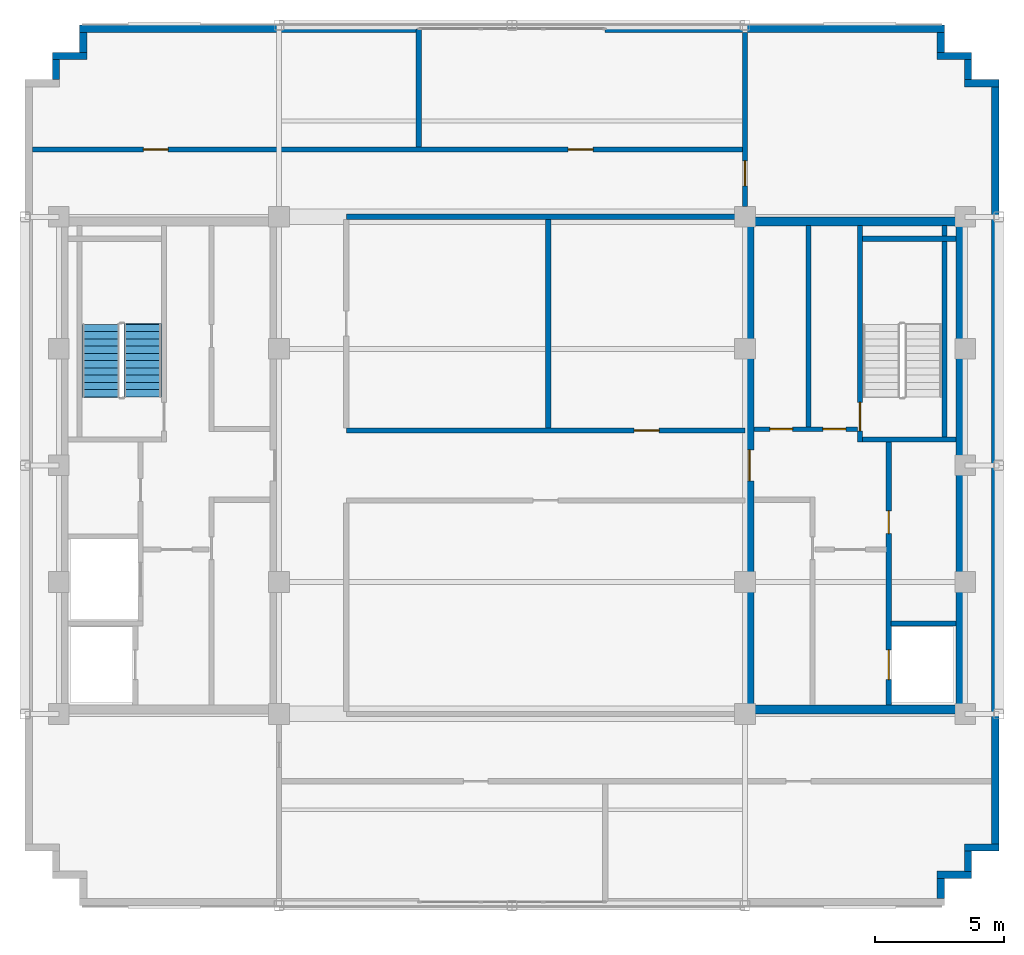
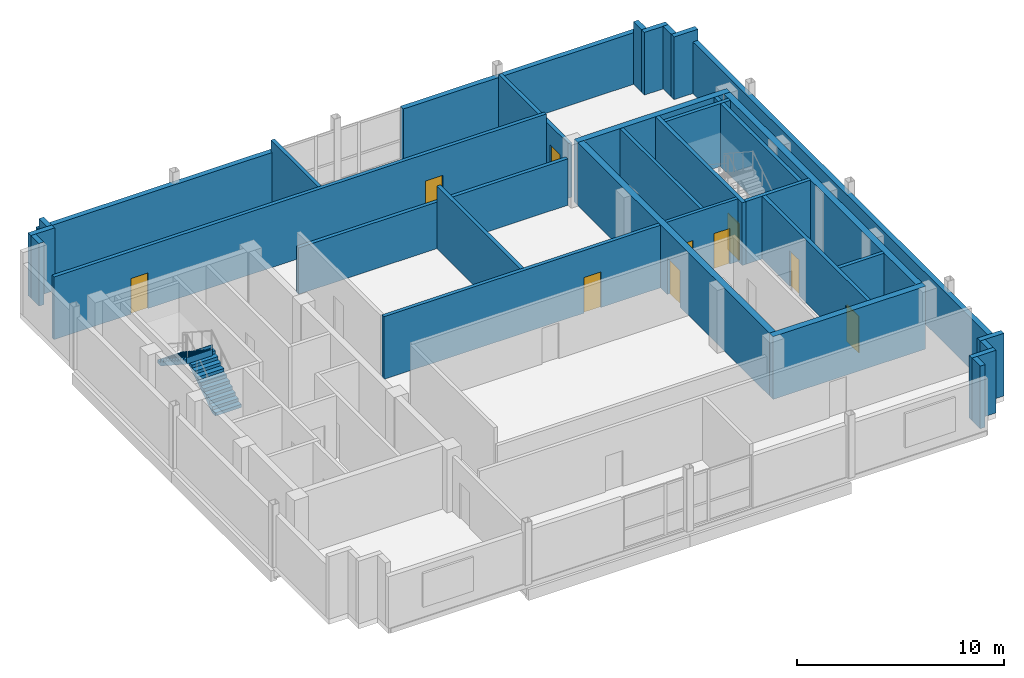
# One storey, part 3 of 10: 32 walls, 10 doors, 2 stair flights, 10 openings, 1 element without a shape of its own.
"""IFC4 building model written with IfcOpenShell, lengths in metres."""

from ifc_helpers import new_model, si_unit, direction, frame, frame_2d, origin, place, context, subcontext, project, spatial, polyline, rectangle, outline, extrude, source, transform, mapped, material, layer, layer_set, type_object, type_shapes, element, fill, aggregate, save


model = new_model("IFC4")

# Units and contexts
model_context = context("Model", 3, precision=1e-05, world=origin(), true_north=direction((0.0, 1.0)))
body_context = subcontext(model_context, "Body", "Model", "MODEL_VIEW")
ifc_project = project(units=[si_unit("LENGTHUNIT", "METRE"), si_unit("AREAUNIT", "SQUARE_METRE"), si_unit("VOLUMEUNIT", "CUBIC_METRE"), si_unit("PLANEANGLEUNIT", "RADIAN"), si_unit("MASSUNIT", "GRAM", prefix="KILO")], contexts=[model_context])

# Site, building, storey
site_placement = place(None, origin())
site = spatial("IfcSite", under=ifc_project, at=site_placement, CompositionType="ELEMENT")
building_placement = place(site_placement, origin())
building = spatial("IfcBuilding", under=site, at=building_placement, Name="Nuvemarco Arch Tower", CompositionType="ELEMENT")
storey_placement = place(building_placement, frame((0.0, 0.0, 299.14990234375)))
storey = spatial("IfcBuildingStorey", under=building, at=storey_placement, Name="L79", CompositionType="ELEMENT", Elevation=299.14990234375)

# Walls
ifc_material_1 = material(Name="Precast concrete C45/55", Category="concrete")
ifc_layer_1 = layer(ifc_material_1, 0.280029296875, Name="EW-CRN-280")
ifc_layer_set_1 = layer_set([ifc_layer_1], Name="Precast concrete C45/55")
wall_type_1 = type_object("IfcWallType", Name="EW-CRN-280", PredefinedType="STANDARD", material=ifc_layer_set_1)
wall_1_placement = place(storey_placement, frame((16.56005859375, -16.72412109375, 0.0), z_axis=(0.0, 0.0, 1.0), x_axis=(0.0, 1.0, 0.0)))
element("IfcWall", 1, at=wall_1_placement, inside=storey, type_object=wall_type_1, Name="L79 exterior precast facade wall 2", PredefinedType="STANDARD", context=body_context, shape_type="SweptSolid", body=[
    extrude(rectangle(XDim=0.778076171875, YDim=0.280029296875, at=frame_2d((0.38916015625, 0.0))), origin(), (0.0, 0.0, 1.0), 3.690185546875),
])
wall_2_placement = place(storey_placement, frame((16.419921875, -15.81005859375, 0.0), z_axis=(0.0, 0.0, 1.0), x_axis=(1.0, 0.0, 0.0)))
element("IfcWall", 2, at=wall_2_placement, inside=storey, type_object=wall_type_1, Name="L79 exterior precast facade wall 3", PredefinedType="STANDARD", context=body_context, shape_type="SweptSolid", body=[
    extrude(rectangle(XDim=1.330078125, YDim=0.280029296875, at=frame_2d((0.6650390625, 0.0))), origin(), (0.0, 0.0, 1.0), 3.690185546875),
])
wall_3_placement = place(storey_placement, frame((17.610107421875, -15.674072265625, 0.0), z_axis=(0.0, 0.0, 1.0), x_axis=(0.0, 1.0, 0.0)))
element("IfcWall", 3, at=wall_3_placement, inside=storey, type_object=wall_type_1, Name="L79 exterior precast facade wall 4", PredefinedType="STANDARD", context=body_context, shape_type="SweptSolid", body=[
    extrude(rectangle(XDim=0.778076171875, YDim=0.280029296875, at=frame_2d((0.38916015625, 0.0))), origin(), (0.0, 0.0, 1.0), 3.690185546875),
])
wall_4_placement = place(storey_placement, frame((17.469970703125, -14.760009765625, 0.0), z_axis=(0.0, 0.0, 1.0), x_axis=(1.0, 0.0, 0.0)))
element("IfcWall", 4, at=wall_4_placement, inside=storey, type_object=wall_type_1, Name="L79 exterior precast facade wall 5", PredefinedType="STANDARD", context=body_context, shape_type="SweptSolid", body=[
    extrude(rectangle(XDim=1.330078125, YDim=0.280029296875, at=frame_2d((0.6650390625, 0.0))), origin(), (0.0, 0.0, 1.0), 3.690185546875),
])
wall_5_placement = place(storey_placement, frame((18.659912109375, -14.6240234375, 0.0), z_axis=(0.0, 0.0, 1.0), x_axis=(0.0, 1.0, 0.0)))
element("IfcWall", 5, at=wall_5_placement, inside=storey, type_object=wall_type_1, Name="L79 exterior precast facade wall 6", PredefinedType="STANDARD", context=body_context, shape_type="SweptSolid", body=[
    extrude(rectangle(XDim=29.248046875, YDim=0.280029296875, at=frame_2d((14.6240234375, 0.0))), origin(), (0.0, 0.0, 1.0), 3.03515625),
])
wall_6_placement = place(storey_placement, frame((17.469970703125, 14.760009765625, 0.0), z_axis=(0.0, 0.0, 1.0), x_axis=(1.0, 0.0, 0.0)))
element("IfcWall", 6, at=wall_6_placement, inside=storey, type_object=wall_type_1, Name="L79 exterior precast facade wall 7", PredefinedType="STANDARD", context=body_context, shape_type="SweptSolid", body=[
    extrude(rectangle(XDim=1.330078125, YDim=0.280029296875, at=frame_2d((0.6650390625, 0.0))), origin(), (0.0, 0.0, 1.0), 3.690185546875),
])
wall_7_placement = place(storey_placement, frame((17.610107421875, 14.89599609375, 0.0), z_axis=(0.0, 0.0, 1.0), x_axis=(0.0, 1.0, 0.0)))
element("IfcWall", 7, at=wall_7_placement, inside=storey, type_object=wall_type_1, Name="L79 exterior precast facade wall 8", PredefinedType="STANDARD", context=body_context, shape_type="SweptSolid", body=[
    extrude(rectangle(XDim=0.778076171875, YDim=0.280029296875, at=frame_2d((0.38916015625, 0.0))), origin(), (0.0, 0.0, 1.0), 3.690185546875),
])
wall_8_placement = place(storey_placement, frame((16.419921875, 15.81005859375, 0.0), z_axis=(0.0, 0.0, 1.0), x_axis=(1.0, 0.0, 0.0)))
element("IfcWall", 8, at=wall_8_placement, inside=storey, type_object=wall_type_1, Name="L79 exterior precast facade wall 9", PredefinedType="STANDARD", context=body_context, shape_type="SweptSolid", body=[
    extrude(rectangle(XDim=1.330078125, YDim=0.280029296875, at=frame_2d((0.6650390625, 0.0))), origin(), (0.0, 0.0, 1.0), 3.690185546875),
])
wall_9_placement = place(storey_placement, frame((16.56005859375, 15.946044921875, 0.0), z_axis=(0.0, 0.0, 1.0), x_axis=(0.0, 1.0, 0.0)))
element("IfcWall", 9, at=wall_9_placement, inside=storey, type_object=wall_type_1, Name="L79 exterior precast facade wall 10", PredefinedType="STANDARD", context=body_context, shape_type="SweptSolid", body=[
    extrude(rectangle(XDim=0.778076171875, YDim=0.280029296875, at=frame_2d((0.38916015625, 0.0))), origin(), (0.0, 0.0, 1.0), 3.690185546875),
])
for number, where, z_axis, x_axis, name in (
    (10, (-16.699951171875, 16.860107421875, 0.0), (0.0, 0.0, 1.0), (1.0, 0.0, 0.0), "L79 exterior precast pier wall north left"),
    (11, (3.60009765625, 16.860107421875, 0.0), (0.0, 0.0, 1.0), (1.0, 0.0, 0.0), "L79 exterior precast pier wall north right"),
):
    element("IfcWall", number, at=place(storey_placement, frame(where, z_axis=z_axis, x_axis=x_axis)), inside=storey, type_object=wall_type_1, Name=name, PredefinedType="STANDARD", context=body_context, shape_type="SweptSolid", body=[
        extrude(rectangle(XDim=13.099853515625, YDim=0.280029296875, at=frame_2d((6.5498046875, 0.0))), origin(), (0.0, 0.0, 1.0), 3.03515625),
    ])
wall_10_placement = place(storey_placement, frame((-16.56005859375, 15.946044921875, 0.0), z_axis=(0.0, 0.0, 1.0), x_axis=(0.0, 1.0, 0.0)))
element("IfcWall", 12, at=wall_10_placement, inside=storey, type_object=wall_type_1, Name="L79 exterior precast facade wall 12", PredefinedType="STANDARD", context=body_context, shape_type="SweptSolid", body=[
    extrude(rectangle(XDim=0.778076171875, YDim=0.280029296875, at=frame_2d((0.38916015625, 0.0))), origin(), (0.0, 0.0, 1.0), 3.690185546875),
])
wall_11_placement = place(storey_placement, frame((-17.75, 15.81005859375, 0.0), z_axis=(0.0, 0.0, 1.0), x_axis=(1.0, 0.0, 0.0)))
element("IfcWall", 13, at=wall_11_placement, inside=storey, type_object=wall_type_1, Name="L79 exterior precast facade wall 13", PredefinedType="STANDARD", context=body_context, shape_type="SweptSolid", body=[
    extrude(rectangle(XDim=1.330078125, YDim=0.280029296875, at=frame_2d((0.6650390625, 0.0))), origin(), (0.0, 0.0, 1.0), 3.690185546875),
])
wall_12_placement = place(storey_placement, frame((-17.610107421875, 14.89599609375, 0.0), z_axis=(0.0, 0.0, 1.0), x_axis=(0.0, 1.0, 0.0)))
element("IfcWall", 14, at=wall_12_placement, inside=storey, type_object=wall_type_1, Name="L79 exterior precast facade wall 14", PredefinedType="STANDARD", context=body_context, shape_type="SweptSolid", body=[
    extrude(rectangle(XDim=0.778076171875, YDim=0.280029296875, at=frame_2d((0.38916015625, 0.0))), origin(), (0.0, 0.0, 1.0), 3.690185546875),
])
ifc_material_2 = material(Name="Concrete C50/60", Category="concrete")
ifc_layer_2 = layer(ifc_material_2, 0.35009765625, Name="WL-CORE-350")
ifc_layer_set_2 = layer_set([ifc_layer_2], Name="Concrete C50/60")
wall_type_2 = type_object("IfcWallType", Name="WL-CORE-350", PredefinedType="SHEAR", material=ifc_layer_set_2)
for number, where, z_axis, x_axis, name in (
    (15, (9.0, -9.425048828125, 0.0), (0.0, 0.0, 1.0), (1.0, 0.0, 0.0), "L79 E-core shear wall S"),
    (16, (9.0, 9.425048828125, 0.0), (0.0, 0.0, 1.0), (1.0, 0.0, 0.0), "L79 E-core shear wall N"),
):
    element("IfcWall", number, at=place(storey_placement, frame(where, z_axis=z_axis, x_axis=x_axis)), inside=storey, type_object=wall_type_2, Name=name, PredefinedType="SHEAR", context=body_context, shape_type="SweptSolid", body=[
        extrude(rectangle(XDim=8.5, YDim=0.35009765625, at=frame_2d((4.25, 0.0))), origin(), (0.0, 0.0, 1.0), 3.7001953125),
    ])

# Wall, opening, door
wall_13_placement = place(storey_placement, frame((9.175048828125, -9.2548828125, 0.0), z_axis=(0.0, 0.0, 1.0), x_axis=(0.0, 1.0, 0.0)))
wall_13 = element("IfcWall", 17, at=wall_13_placement, inside=storey, type_object=wall_type_2, Name="L79 E-core shear wall W", PredefinedType="SHEAR", context=body_context, shape_type="SweptSolid", body=[
    extrude(rectangle(XDim=18.509765625, YDim=0.35009765625, at=frame_2d((9.2548828125, 0.0))), origin(), (0.0, 0.0, 1.0), 3.7001953125),
])
opening_1_placement = place(wall_13_placement, frame((8.655029296875, 0.0, 0.0)))
opening_1 = element("IfcOpeningElement", 18, at=opening_1_placement, cuts=wall_13, Name="Opening FD-2", PredefinedType="OPENING", context=body_context, shape_type="SweptSolid", body=[
    extrude(rectangle(XDim=1.199951171875, YDim=2.14990234375, at=frame_2d((0.60009765625, 1.074951171875))), frame((0.0, 0.18505859375, 0.0), z_axis=(0.0, -1.0, 0.0), x_axis=(1.0, 0.0, 0.0)), (0.0, 0.0, 1.0), 0.3701171875),
])
ifc_material_3 = material(Name="Anodised steel fire door", Category="steel")
door_type_1 = type_object("IfcDoorType", Name="DR-FFLOB-FD", OperationType="NOTDEFINED", PredefinedType="DOOR", material=ifc_material_3)
shared_shape_1 = source(origin(), body_context, "Body", "SweptSolid", [
    extrude(rectangle(XDim=1.199951171875, YDim=2.14990234375, at=frame_2d((0.60009765625, 1.074951171875))), frame((0.0, 0.02490234375, 0.0), z_axis=(0.0, -1.0, 0.0), x_axis=(1.0, 0.0, 0.0)), (0.0, 0.0, 1.0), 0.050048828125),
])
type_shapes(door_type_1, [shared_shape_1])
door_1_placement = place(opening_1_placement, origin())
door_1 = element("IfcDoor", 19, at=door_1_placement, inside=storey, type_object=door_type_1, Name="L79 door FD-L79-ECORE-W", OperationType="SINGLE_SWING_LEFT", OverallHeight=2.14990234375, OverallWidth=1.199951171875, PredefinedType="DOOR", context=body_context, shape_type="MappedRepresentation", body=[
    mapped(shared_shape_1, transform((0.0, 0.0, 0.0), scale=1.0)),
])
fill(opening_1, door_1)

# Wall
wall_14_placement = place(storey_placement, frame((17.324951171875, -9.2548828125, 0.0), z_axis=(0.0, 0.0, 1.0), x_axis=(0.0, 1.0, 0.0)))
element("IfcWall", 20, at=wall_14_placement, inside=storey, type_object=wall_type_2, Name="L79 E-core shear wall E", PredefinedType="SHEAR", context=body_context, shape_type="SweptSolid", body=[
    extrude(rectangle(XDim=18.509765625, YDim=0.35009765625, at=frame_2d((9.2548828125, 0.0))), origin(), (0.0, 0.0, 1.0), 3.7001953125),
])

# Wall, openings, doors
ifc_material_4 = material(Name="Fire-rated gypsum drywall partition")
ifc_layer_3 = layer(ifc_material_4, 0.179931640625, Name="WL-CORR-180")
ifc_layer_set_3 = layer_set([ifc_layer_3], Name="Fire-rated gypsum drywall partition")
wall_type_3 = type_object("IfcWallType", Name="WL-CORR-180", PredefinedType="PARTITIONING", material=ifc_layer_set_3)
wall_15_placement = place(storey_placement, frame((9.344970703125, 1.39990234375, 0.0), z_axis=(0.0, 0.0, 1.0), x_axis=(1.0, 0.0, 0.0)))
wall_15 = element("IfcWall", 21, at=wall_15_placement, inside=storey, type_object=wall_type_3, Name="L79 interior wall IW-L79-EK-S", PredefinedType="PARTITIONING", context=body_context, shape_type="SweptSolid", body=[
    extrude(rectangle(XDim=4.0, YDim=0.179931640625, at=frame_2d((2.0, 0.0))), origin(), (0.0, 0.0, 1.0), 3.690185546875),
])
opening_2_placement = place(wall_15_placement, frame((0.614990234375, 0.0, 0.0)))
opening_2 = element("IfcOpeningElement", 22, at=opening_2_placement, cuts=wall_15, Name="Opening FD-4", PredefinedType="OPENING", context=body_context, shape_type="SweptSolid", body=[
    extrude(rectangle(XDim=0.8798828125, YDim=2.10009765625, at=frame_2d((0.43994140625, 1.050048828125))), frame((0.0, 0.099853515625, 0.0), z_axis=(0.0, -1.0, 0.0), x_axis=(1.0, 0.0, 0.0)), (0.0, 0.0, 1.0), 0.199951171875),
])
opening_3_placement = place(wall_15_placement, frame((2.6650390625, 0.0, 0.0)))
opening_3 = element("IfcOpeningElement", 23, at=opening_3_placement, cuts=wall_15, Name="Opening FD-4", PredefinedType="OPENING", context=body_context, shape_type="SweptSolid", body=[
    extrude(rectangle(XDim=0.8798828125, YDim=2.10009765625, at=frame_2d((0.43994140625, 1.050048828125))), frame((0.0, 0.099853515625, 0.0), z_axis=(0.0, -1.0, 0.0), x_axis=(1.0, 0.0, 0.0)), (0.0, 0.0, 1.0), 0.199951171875),
])
door_type_2 = type_object("IfcDoorType", Name="DR-RISER-FD", OperationType="NOTDEFINED", PredefinedType="DOOR", material=ifc_material_3)
shared_shape_2 = source(origin(), body_context, "Body", "SweptSolid", [
    extrude(rectangle(XDim=0.8798828125, YDim=2.10009765625, at=frame_2d((0.43994140625, 1.050048828125))), frame((0.0, 0.02490234375, 0.0), z_axis=(0.0, -1.0, 0.0), x_axis=(1.0, 0.0, 0.0)), (0.0, 0.0, 1.0), 0.050048828125),
])
type_shapes(door_type_2, [shared_shape_2])
door_2_placement = place(opening_2_placement, origin())
door_2 = element("IfcDoor", 24, at=door_2_placement, inside=storey, type_object=door_type_2, Name="L79 door FD-L79-EK2A", OperationType="SINGLE_SWING_RIGHT", OverallHeight=2.10009765625, OverallWidth=0.8798828125, PredefinedType="DOOR", context=body_context, shape_type="MappedRepresentation", body=[
    mapped(shared_shape_2, transform((0.0, 0.0, 0.0), scale=1.0)),
])
fill(opening_2, door_2)
door_3_placement = place(opening_3_placement, origin())
door_3 = element("IfcDoor", 25, at=door_3_placement, inside=storey, type_object=door_type_2, Name="L79 door FD-L79-EK2B", OperationType="SINGLE_SWING_LEFT", OverallHeight=2.10009765625, OverallWidth=0.8798828125, PredefinedType="DOOR", context=body_context, shape_type="MappedRepresentation", body=[
    mapped(shared_shape_2, transform((0.0, 0.0, 0.0), scale=1.0)),
])
fill(opening_3, door_3)

# Wall
wall_16_placement = place(storey_placement, frame((11.449951171875, 1.489990234375, 0.0), z_axis=(0.0, 0.0, 1.0), x_axis=(0.0, 1.0, 0.0)))
element("IfcWall", 26, at=wall_16_placement, inside=storey, type_object=wall_type_3, Name="L79 interior wall IW-L79-EK2", PredefinedType="PARTITIONING", context=body_context, shape_type="SweptSolid", body=[
    extrude(rectangle(XDim=7.764892578125, YDim=0.179931640625, at=frame_2d((3.88232421875, 0.0))), origin(), (0.0, 0.0, 1.0), 3.690185546875),
])

# Wall, opening, door
ifc_layer_4 = layer(ifc_material_1, 0.199951171875, Name="WL-PLANT-200")
ifc_layer_set_4 = layer_set([ifc_layer_4], Name="Precast concrete C45/55")
wall_type_4 = type_object("IfcWallType", Name="WL-PLANT-200", PredefinedType="STANDARD", material=ifc_layer_set_4)
wall_17_placement = place(storey_placement, frame((-6.39990234375, 1.35009765625, 0.0), z_axis=(0.0, 0.0, 1.0), x_axis=(1.0, 0.0, 0.0)))
wall_17 = element("IfcWall", 27, at=wall_17_placement, inside=storey, type_object=wall_type_4, Name="L79 interior wall IW-L79-004", PredefinedType="STANDARD", context=body_context, shape_type="SweptSolid", body=[
    extrude(rectangle(XDim=15.39990234375, YDim=0.199951171875, at=frame_2d((7.699951171875, 0.0))), origin(), (0.0, 0.0, 1.0), 3.690185546875),
])
opening_4_placement = place(wall_17_placement, frame((11.1201171875, 0.0, 0.0)))
opening_4 = element("IfcOpeningElement", 28, at=opening_4_placement, cuts=wall_17, Name="Opening FD-5", PredefinedType="OPENING", context=body_context, shape_type="SweptSolid", body=[
    extrude(rectangle(XDim=0.9599609375, YDim=2.10009765625, at=frame_2d((0.47998046875, 1.050048828125))), frame((0.0, 0.10986328125, 0.0), z_axis=(0.0, -1.0, 0.0), x_axis=(1.0, 0.0, 0.0)), (0.0, 0.0, 1.0), 0.219970703125),
])
ifc_material_5 = material(Name="Timber fire door", Category="wood")
door_type_3 = type_object("IfcDoorType", Name="DR-CORR-FD", OperationType="NOTDEFINED", PredefinedType="DOOR", material=ifc_material_5)
shared_shape_3 = source(origin(), body_context, "Body", "SweptSolid", [
    extrude(rectangle(XDim=0.9599609375, YDim=2.10009765625, at=frame_2d((0.47998046875, 1.050048828125))), frame((0.0, 0.02490234375, 0.0), z_axis=(0.0, -1.0, 0.0), x_axis=(1.0, 0.0, 0.0)), (0.0, 0.0, 1.0), 0.050048828125),
])
type_shapes(door_type_3, [shared_shape_3])
door_4_placement = place(opening_4_placement, origin())
door_4 = element("IfcDoor", 29, at=door_4_placement, inside=storey, type_object=door_type_3, Name="L79 door DR-L79-CRN_PUMP2", OperationType="SINGLE_SWING_RIGHT", OverallHeight=2.10009765625, OverallWidth=0.9599609375, PredefinedType="DOOR", context=body_context, shape_type="MappedRepresentation", body=[
    mapped(shared_shape_3, transform((0.0, 0.0, 0.0), scale=1.0)),
])
fill(opening_4, door_4)

# Wall
wall_18_placement = place(storey_placement, frame((-6.39990234375, 9.60009765625, 0.0), z_axis=(0.0, 0.0, 1.0), x_axis=(1.0, 0.0, 0.0)))
element("IfcWall", 30, at=wall_18_placement, inside=storey, type_object=wall_type_4, Name="L79 interior wall IW-L79-005", PredefinedType="STANDARD", context=body_context, shape_type="SweptSolid", body=[
    extrude(rectangle(XDim=15.00390625, YDim=0.199951171875, at=frame_2d((7.501953125, 0.0))), origin(), (0.0, 0.0, 1.0), 2.735107421875),
])

# Wall, openings, doors
wall_19_placement = place(storey_placement, frame((-18.52001953125, 12.199951171875, 0.0), z_axis=(0.0, 0.0, 1.0), x_axis=(1.0, 0.0, 0.0)))
wall_19 = element("IfcWall", 31, at=wall_19_placement, inside=storey, type_object=wall_type_4, Name="L79 interior wall IW-L79-006", PredefinedType="STANDARD", context=body_context, shape_type="SweptSolid", body=[
    extrude(rectangle(XDim=27.424072265625, YDim=0.199951171875, at=frame_2d((13.7119140625, 0.0))), origin(), (0.0, 0.0, 1.0), 3.690185546875),
])
opening_5_placement = place(wall_19_placement, frame((20.69189453125, 0.0, 0.0)))
opening_5 = element("IfcOpeningElement", 32, at=opening_5_placement, cuts=wall_19, Name="Opening FD-5", PredefinedType="OPENING", context=body_context, shape_type="SweptSolid", body=[
    extrude(rectangle(XDim=0.9599609375, YDim=2.10009765625, at=frame_2d((0.47998046875, 1.050048828125))), frame((0.0, 0.10986328125, 0.0), z_axis=(0.0, -1.0, 0.0), x_axis=(1.0, 0.0, 0.0)), (0.0, 0.0, 1.0), 0.219970703125),
])
opening_6_placement = place(wall_19_placement, frame((4.280029296875, 0.0, 0.0)))
opening_6 = element("IfcOpeningElement", 33, at=opening_6_placement, cuts=wall_19, Name="Opening FD-5", PredefinedType="OPENING", context=body_context, shape_type="SweptSolid", body=[
    extrude(rectangle(XDim=0.9599609375, YDim=2.10009765625, at=frame_2d((0.47998046875, 1.050048828125))), frame((0.0, 0.10986328125, 0.0), z_axis=(0.0, -1.0, 0.0), x_axis=(1.0, 0.0, 0.0)), (0.0, 0.0, 1.0), 0.219970703125),
])
door_5_placement = place(opening_5_placement, origin())
door_5 = element("IfcDoor", 34, at=door_5_placement, inside=storey, type_object=door_type_3, Name="L79 door DR-L79-CRN_N2", OperationType="SINGLE_SWING_RIGHT", OverallHeight=2.10009765625, OverallWidth=0.9599609375, PredefinedType="DOOR", context=body_context, shape_type="MappedRepresentation", body=[
    mapped(shared_shape_3, transform((0.0, 0.0, 0.0), scale=1.0)),
])
fill(opening_5, door_5)
door_6_placement = place(opening_6_placement, origin())
door_6 = element("IfcDoor", 35, at=door_6_placement, inside=storey, type_object=door_type_3, Name="L79 door DR-L79-CRN_N1", OperationType="SINGLE_SWING_RIGHT", OverallHeight=2.10009765625, OverallWidth=0.9599609375, PredefinedType="DOOR", context=body_context, shape_type="MappedRepresentation", body=[
    mapped(shared_shape_3, transform((0.0, 0.0, 0.0), scale=1.0)),
])
fill(opening_6, door_6)

# Walls
wall_20_placement = place(storey_placement, frame((-3.60009765625, 12.2958984375, 0.0), z_axis=(0.0, 0.0, 1.0), x_axis=(0.0, 1.0, 0.0)))
element("IfcWall", 36, at=wall_20_placement, inside=storey, type_object=wall_type_4, Name="L79 interior wall IW-L79-010", PredefinedType="STANDARD", context=body_context, shape_type="SweptSolid", body=[
    extrude(rectangle(XDim=4.549072265625, YDim=0.199951171875, at=frame_2d((2.2744140625, 0.0))), origin(), (0.0, 0.0, 1.0), 3.690185546875),
])
wall_21_placement = place(storey_placement, frame((1.39990234375, 1.446044921875, 0.0), z_axis=(0.0, 0.0, 1.0), x_axis=(0.0, 1.0, 0.0)))
element("IfcWall", 37, at=wall_21_placement, inside=storey, type_object=wall_type_4, Name="L79 interior wall IW-L79-011", PredefinedType="STANDARD", context=body_context, shape_type="SweptSolid", body=[
    extrude(rectangle(XDim=8.057861328125, YDim=0.199951171875, at=frame_2d((4.02880859375, 0.0))), origin(), (0.0, 0.0, 1.0), 3.690185546875),
])

# Wall, opening, door
wall_22_placement = place(storey_placement, frame((9.0, 9.99609375, 0.0), z_axis=(0.0, 0.0, 1.0), x_axis=(0.0, 1.0, 0.0)))
wall_22 = element("IfcWall", 38, at=wall_22_placement, inside=storey, type_object=wall_type_4, Name="L79 interior wall IW-L79-013", PredefinedType="STANDARD", context=body_context, shape_type="SweptSolid", body=[
    extrude(rectangle(XDim=6.723876953125, YDim=0.199951171875, at=frame_2d((3.36181640625, 0.0))), origin(), (0.0, 0.0, 1.0), 3.22216796875),
])
opening_7_placement = place(wall_22_placement, frame((0.800048828125, 0.0, 0.0)))
opening_7 = element("IfcOpeningElement", 39, at=opening_7_placement, cuts=wall_22, Name="Opening FD-5", PredefinedType="OPENING", context=body_context, shape_type="SweptSolid", body=[
    extrude(rectangle(XDim=0.9599609375, YDim=2.10009765625, at=frame_2d((0.47998046875, 1.050048828125))), frame((0.0, 0.10986328125, 0.0), z_axis=(0.0, -1.0, 0.0), x_axis=(1.0, 0.0, 0.0)), (0.0, 0.0, 1.0), 0.219970703125),
])
door_7_placement = place(opening_7_placement, origin())
door_7 = element("IfcDoor", 40, at=door_7_placement, inside=storey, type_object=door_type_3, Name="L79 door DR-L79-CRN_NE", OperationType="SINGLE_SWING_LEFT", OverallHeight=2.10009765625, OverallWidth=0.9599609375, PredefinedType="DOOR", context=body_context, shape_type="MappedRepresentation", body=[
    mapped(shared_shape_3, transform((0.0, 0.0, 0.0), scale=1.0)),
])
fill(opening_7, door_7)

ifc_layer_5 = layer(ifc_material_2, 0.199951171875, Name="WL-SHAFT-220")
ifc_layer_set_5 = layer_set([ifc_layer_5], Name="Concrete C50/60")
wall_type_5 = type_object("IfcWallType", Name="WL-SHAFT-220", PredefinedType="SHEAR", material=ifc_layer_set_5)
wall_23_placement = place(storey_placement, frame((13.43994140625, 0.89990234375, 0.0), z_axis=(0.0, 0.0, 1.0), x_axis=(0.0, 1.0, 0.0)))
wall_23 = element("IfcWall", 41, at=wall_23_placement, inside=storey, type_object=wall_type_5, Name="L79 structural shaft wall SW-L79-E-ST2W", PredefinedType="SHEAR", context=body_context, shape_type="SweptSolid", body=[
    extrude(rectangle(XDim=8.35498046875, YDim=0.199951171875, at=frame_2d((4.177490234375, 0.0))), origin(), (0.0, 0.0, 1.0), 3.7001953125),
])
opening_8_placement = place(wall_23_placement, frame((0.429931640625, 0.0, 0.0)))
opening_8 = element("IfcOpeningElement", 42, at=opening_8_placement, cuts=wall_23, Name="Opening FD-1", PredefinedType="OPENING", context=body_context, shape_type="SweptSolid", body=[
    extrude(rectangle(XDim=1.10009765625, YDim=2.14990234375, at=frame_2d((0.550048828125, 1.074951171875))), frame((0.0, 0.10986328125, 0.0), z_axis=(0.0, -1.0, 0.0), x_axis=(1.0, 0.0, 0.0)), (0.0, 0.0, 1.0), 0.219970703125),
])
door_type_4 = type_object("IfcDoorType", Name="DR-STAIR-FD", OperationType="NOTDEFINED", PredefinedType="DOOR", material=ifc_material_3)
shared_shape_4 = source(origin(), body_context, "Body", "SweptSolid", [
    extrude(rectangle(XDim=1.10009765625, YDim=2.14990234375, at=frame_2d((0.550048828125, 1.074951171875))), frame((0.0, 0.02490234375, 0.0), z_axis=(0.0, -1.0, 0.0), x_axis=(1.0, 0.0, 0.0)), (0.0, 0.0, 1.0), 0.050048828125),
])
type_shapes(door_type_4, [shared_shape_4])
door_8_placement = place(opening_8_placement, origin())
door_8 = element("IfcDoor", 43, at=door_8_placement, inside=storey, type_object=door_type_4, Name="L79 door FD-L79-ST2", OperationType="SINGLE_SWING_RIGHT", OverallHeight=2.14990234375, OverallWidth=1.10009765625, PredefinedType="DOOR", context=body_context, shape_type="MappedRepresentation", body=[
    mapped(shared_shape_4, transform((0.0, 0.0, 0.0), scale=1.0)),
])
fill(opening_8, door_8)

# Walls
for number, where, z_axis, x_axis, name in (
    (44, (13.534912109375, 1.0, 0.0), (0.0, 0.0, 1.0), (1.0, 0.0, 0.0), "L79 structural shaft wall SW-L79-E-ST2S"),
    (45, (13.534912109375, 8.75, 0.0), (0.0, 0.0, 1.0), (1.0, 0.0, 0.0), "L79 structural shaft wall SW-L79-E-ST2N"),
):
    element("IfcWall", number, at=place(storey_placement, frame(where, z_axis=z_axis, x_axis=x_axis)), inside=storey, type_object=wall_type_5, Name=name, PredefinedType="SHEAR", context=body_context, shape_type="SweptSolid", body=[
        extrude(rectangle(XDim=3.6201171875, YDim=0.199951171875, at=frame_2d((1.81005859375, 0.0))), origin(), (0.0, 0.0, 1.0), 3.7001953125),
    ])
wall_24_placement = place(storey_placement, frame((16.699951171875, 1.094970703125, 0.0), z_axis=(0.0, 0.0, 1.0), x_axis=(0.0, 1.0, 0.0)))
element("IfcWall", 46, at=wall_24_placement, inside=storey, type_object=wall_type_5, Name="L79 structural shaft wall SW-L79-E-ST2E", PredefinedType="SHEAR", context=body_context, shape_type="SweptSolid", body=[
    extrude(rectangle(XDim=8.159912109375, YDim=0.199951171875, at=frame_2d((4.080078125, 0.0))), origin(), (0.0, 0.0, 1.0), 3.7001953125),
])

# Wall, openings, doors
wall_25_placement = place(storey_placement, frame((14.550048828125, -9.2548828125, 0.0), z_axis=(0.0, 0.0, 1.0), x_axis=(0.0, 1.0, 0.0)))
wall_25 = element("IfcWall", 47, at=wall_25_placement, inside=storey, type_object=wall_type_5, Name="L79 structural shaft wall SW-L79-E-SHW", PredefinedType="SHEAR", context=body_context, shape_type="SweptSolid", body=[
    extrude(rectangle(XDim=10.159912109375, YDim=0.199951171875, at=frame_2d((5.080078125, 0.0))), origin(), (0.0, 0.0, 1.0), 3.7001953125),
])
opening_9_placement = place(wall_25_placement, frame((6.614990234375, 0.0, 0.0)))
opening_9 = element("IfcOpeningElement", 48, at=opening_9_placement, cuts=wall_25, Name="Opening FD-4", PredefinedType="OPENING", context=body_context, shape_type="SweptSolid", body=[
    extrude(rectangle(XDim=0.8798828125, YDim=2.10009765625, at=frame_2d((0.43994140625, 1.050048828125))), frame((0.0, 0.10986328125, 0.0), z_axis=(0.0, -1.0, 0.0), x_axis=(1.0, 0.0, 0.0)), (0.0, 0.0, 1.0), 0.219970703125),
])
opening_10_placement = place(wall_25_placement, frame((0.97998046875, 0.0, 0.0)))
opening_10 = element("IfcOpeningElement", 49, at=opening_10_placement, cuts=wall_25, Name="Opening LD-2", PredefinedType="OPENING", context=body_context, shape_type="SweptSolid", body=[
    extrude(rectangle(XDim=1.14990234375, YDim=2.14990234375, at=frame_2d((0.574951171875, 1.074951171875))), frame((0.0, 0.10986328125, 0.0), z_axis=(0.0, -1.0, 0.0), x_axis=(1.0, 0.0, 0.0)), (0.0, 0.0, 1.0), 0.219970703125),
])
door_9_placement = place(opening_9_placement, origin())
door_9 = element("IfcDoor", 50, at=door_9_placement, inside=storey, type_object=door_type_2, Name="L79 door FD-L79-ERIS", OperationType="SINGLE_SWING_RIGHT", OverallHeight=2.10009765625, OverallWidth=0.8798828125, PredefinedType="DOOR", context=body_context, shape_type="MappedRepresentation", body=[
    mapped(shared_shape_2, transform((0.0, 0.0, 0.0), scale=1.0)),
])
fill(opening_9, door_9)
ifc_material_6 = material(Name="Stainless steel lift door", Category="steel")
door_type_5 = type_object("IfcDoorType", Name="DR-LIFT-FIRE", OperationType="DOUBLE_DOOR_SLIDING", PredefinedType="DOOR", material=ifc_material_6)
shared_shape_5 = source(origin(), body_context, "Body", "SweptSolid", [
    extrude(rectangle(XDim=1.14990234375, YDim=2.14990234375, at=frame_2d((0.574951171875, 1.074951171875))), frame((0.0, 0.02490234375, 0.0), z_axis=(0.0, -1.0, 0.0), x_axis=(1.0, 0.0, 0.0)), (0.0, 0.0, 1.0), 0.050048828125),
])
type_shapes(door_type_5, [shared_shape_5])
door_10_placement = place(opening_10_placement, origin())
door_10 = element("IfcDoor", 51, at=door_10_placement, inside=storey, type_object=door_type_5, Name="L79 Lift landing sliding door FFL-2", OperationType="DOUBLE_DOOR_SLIDING", OverallHeight=2.14990234375, OverallWidth=1.14990234375, PredefinedType="DOOR", context=body_context, shape_type="MappedRepresentation", body=[
    mapped(shared_shape_5, transform((0.0, 0.0, 0.0), scale=1.0)),
])
fill(opening_10, door_10)

# Wall
wall_26_placement = place(storey_placement, frame((14.64501953125, -6.10009765625, 0.0), z_axis=(0.0, 0.0, 1.0), x_axis=(1.0, 0.0, 0.0)))
element("IfcWall", 52, at=wall_26_placement, inside=storey, type_object=wall_type_5, Name="L79 structural shaft wall SW-L79-E-SH1", PredefinedType="SHEAR", context=body_context, shape_type="SweptSolid", body=[
    extrude(rectangle(XDim=2.510009765625, YDim=0.199951171875, at=frame_2d((1.2548828125, 0.0))), origin(), (0.0, 0.0, 1.0), 3.7001953125),
])

# Stair, stair flights
stair_type = type_object("IfcStairType", Name="ST-CORE-22R", PredefinedType="HALF_TURN_STAIR", material=ifc_material_1)
stair_placement = place(storey_placement, origin())
stair = element("IfcStair", 53, at=stair_placement, inside=storey, type_object=stair_type, Name="L79 Protected Exit Stair ST-1", PredefinedType="HALF_TURN_STAIR")
stair_flight_type = type_object("IfcStairFlightType", Name="SF-CORE-22R", PredefinedType="STRAIGHT", material=ifc_material_1)
stair_flight_1_placement = place(storey_placement, frame((-14.264892578125, 2.64990234375, 0.0), z_axis=(0.0, 0.0, 1.0), x_axis=(0.0, 1.0, 0.0)))
stair_flight_1 = element("IfcStairFlight", 54, at=stair_flight_1_placement, type_object=stair_flight_type, Name="ST-22R flight 1", NumberOfRisers=11, NumberOfTreads=10, PredefinedType="STRAIGHT", RiserHeight=0.181818182, TreadLength=0.28, context=body_context, shape_type="SweptSolid", body=[
    extrude(outline(polyline([(0.0, 0.0), (0.0, 0.181884765625), (0.280029296875, 0.181884765625), (0.280029296875, 0.363525390625), (0.56005859375, 0.363525390625), (0.56005859375, 0.54541015625), (0.840087890625, 0.54541015625), (0.840087890625, 0.727294921875), (1.1201171875, 0.727294921875), (1.1201171875, 0.9091796875), (1.39990234375, 0.9091796875), (1.39990234375, 1.0908203125), (1.679931640625, 1.0908203125), (1.679931640625, 1.272705078125), (1.9599609375, 1.272705078125), (1.9599609375, 1.45458984375), (2.239990234375, 1.45458984375), (2.239990234375, 1.636474609375), (2.52001953125, 1.636474609375), (2.52001953125, 1.818115234375), (2.800048828125, 1.818115234375), (2.800048828125, 2.0), (2.820068359375, 2.0), (2.820068359375, 1.62744140625), (0.313720703125, 0.0), (0.0, 0.0)])), frame((0.0, 0.72509765625, 0.0), z_axis=(0.0, -1.0, 0.0), x_axis=(1.0, 0.0, 0.0)), (0.0, 0.0, 1.0), 1.449951171875),
])
stair_flight_2_placement = place(storey_placement, frame((-15.875, 5.449951171875, 2.0), z_axis=(0.0, 0.0, 1.0), x_axis=(0.0, -1.0, 0.0)))
stair_flight_2 = element("IfcStairFlight", 55, at=stair_flight_2_placement, type_object=stair_flight_type, Name="ST-22R flight 2", NumberOfRisers=11, NumberOfTreads=10, PredefinedType="STRAIGHT", RiserHeight=0.181818182, TreadLength=0.28, context=body_context, shape_type="SweptSolid", body=[
    extrude(outline(polyline([(0.0, 0.0), (0.0, 0.181884765625), (0.280029296875, 0.181884765625), (0.280029296875, 0.363525390625), (0.56005859375, 0.363525390625), (0.56005859375, 0.54541015625), (0.840087890625, 0.54541015625), (0.840087890625, 0.727294921875), (1.1201171875, 0.727294921875), (1.1201171875, 0.9091796875), (1.39990234375, 0.9091796875), (1.39990234375, 1.0908203125), (1.679931640625, 1.0908203125), (1.679931640625, 1.272705078125), (1.9599609375, 1.272705078125), (1.9599609375, 1.45458984375), (2.239990234375, 1.45458984375), (2.239990234375, 1.636474609375), (2.52001953125, 1.636474609375), (2.52001953125, 1.818115234375), (2.800048828125, 1.818115234375), (2.800048828125, 2.0), (2.820068359375, 2.0), (2.820068359375, 1.62744140625), (0.313720703125, 0.0), (0.0, 0.0)])), frame((0.0, 0.72509765625, 0.0), z_axis=(0.0, -1.0, 0.0), x_axis=(1.0, 0.0, 0.0)), (0.0, 0.0, 1.0), 1.449951171875),
])
aggregate(stair, [stair_flight_1, stair_flight_2])

save(model, "model.ifc")
